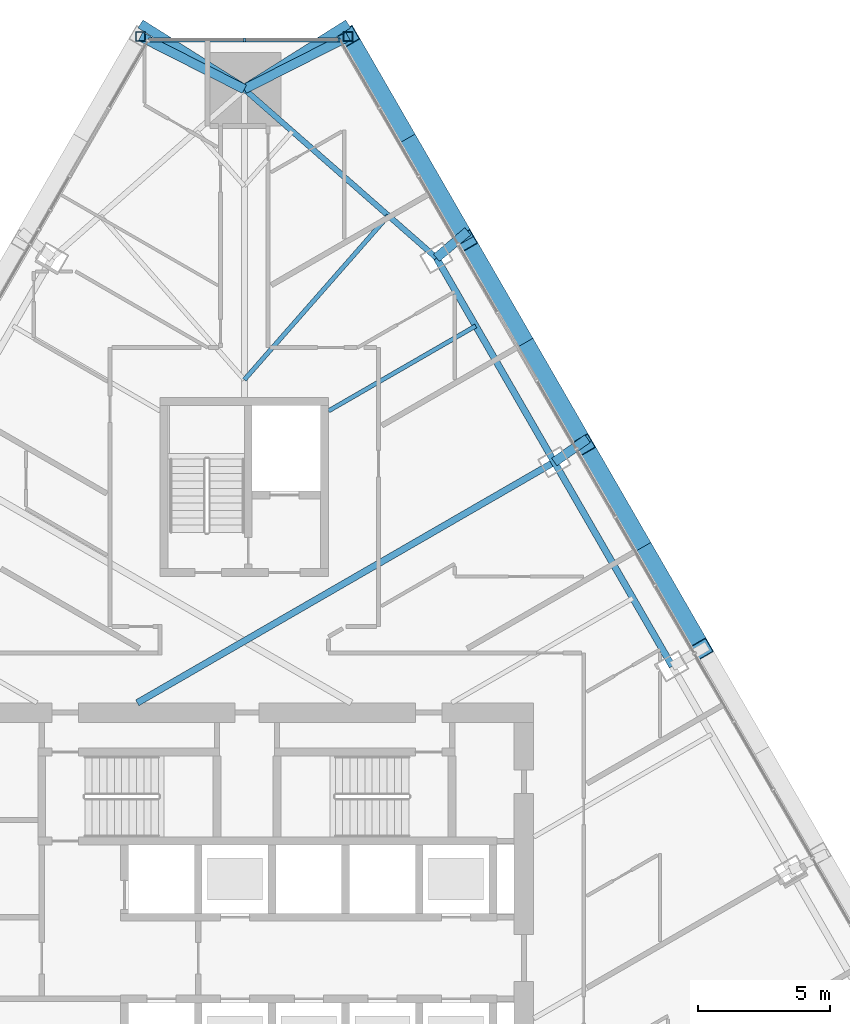
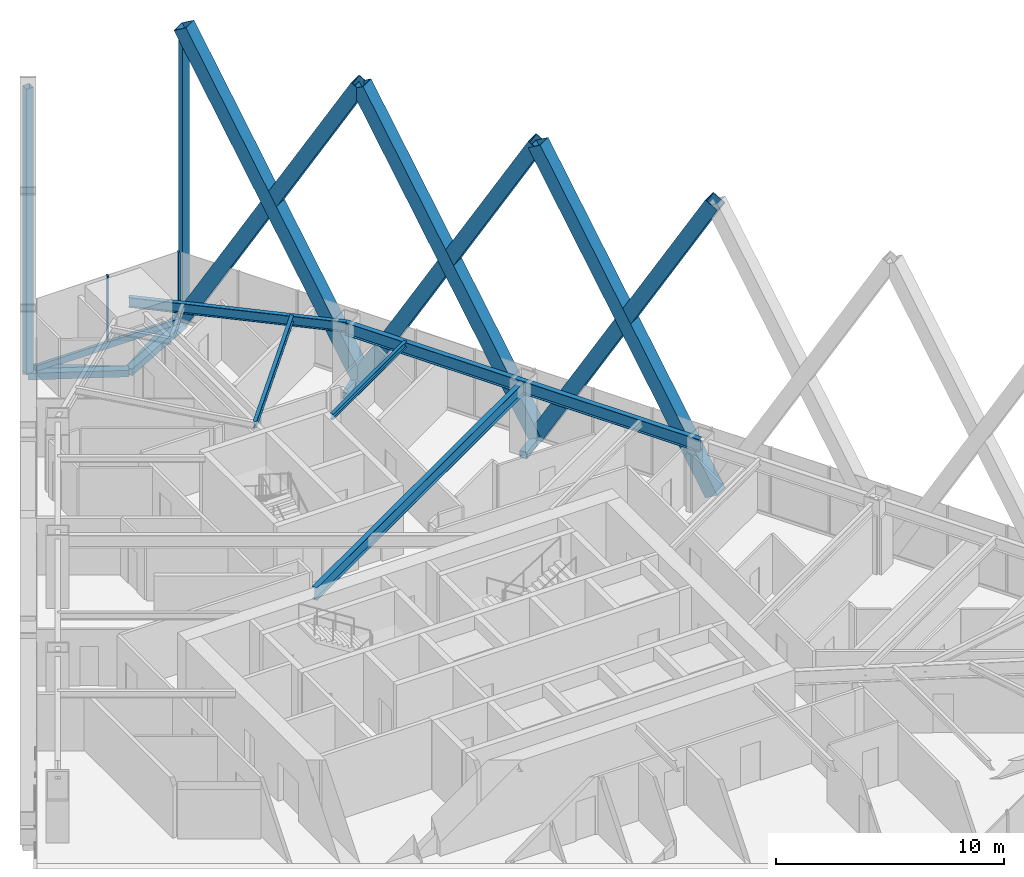
# One storey, part 15 of 24: 17 members, 5 beams, 1 element without a shape of its own.
"""IFC4 building model written with IfcOpenShell, lengths in metres."""

from ifc_helpers import new_model, si_unit, direction, frame, origin, origin_2d, place, context, subcontext, project, spatial, rectangle, hollow_rectangle, i_section, extrude, material, layer, layer_set, material_profile, profile_set, type_object, element, aggregate, save


model = new_model("IFC4")

# Units and contexts
model_context = context("Model", 3, precision=1e-05, world=origin(), true_north=direction((0.0, 1.0)))
body_context = subcontext(model_context, "Body", "Model", "MODEL_VIEW")
ifc_project = project(units=[si_unit("LENGTHUNIT", "METRE"), si_unit("AREAUNIT", "SQUARE_METRE"), si_unit("VOLUMEUNIT", "CUBIC_METRE"), si_unit("PLANEANGLEUNIT", "RADIAN"), si_unit("MASSUNIT", "GRAM", prefix="KILO")], contexts=[model_context])

# Site, building, storey
site_placement = place(None, origin())
site = spatial("IfcSite", under=ifc_project, at=site_placement, CompositionType="ELEMENT")
building_placement = place(site_placement, origin())
building = spatial("IfcBuilding", under=site, at=building_placement, Name="Firuza Gate Tower and Library", CompositionType="ELEMENT")
storey_placement = place(building_placement, frame((0.0, 0.0, 171.39990234375)))
storey = spatial("IfcBuildingStorey", under=building, at=storey_placement, Name="L39", CompositionType="ELEMENT", Elevation=171.39990234375)

# Members
ifc_material_1 = material(Name="Steel S355", Category="steel")
ifc_material_profile_1 = material_profile(ifc_material_1, hollow_rectangle(XDim=0.699951171875, YDim=0.699951171875, WallThickness=0.030029296875, at=origin_2d()))
ifc_profile_set_1 = profile_set([ifc_material_profile_1], Name="Steel S355")
member_type_1 = type_object("IfcMemberType", Name="BU700x700x30 Lattice brace", PredefinedType="BRACE", material=ifc_profile_set_1)
for number, where, z_axis, x_axis, name in (
    (1, (92.389404296875, 85.039794921875, 0.0), (-0.249065574789, 0.43139340866, 0.867102108416), (-0.866024991597, -0.500000713928, 0.0), "Lattice brace E 9.4R"),
    (2, (87.908447265625, 92.801025390625, 0.0), (0.249065574789, -0.43139340866, 0.867102108416), (0.866024991597, 0.500000713928, 0.0), "Lattice brace E 9.4L"),
    (3, (87.908447265625, 92.801025390625, 0.0), (-0.249065574789, 0.43139340866, 0.867102108416), (-0.866024991597, -0.500000713928, 0.0), "Lattice brace E 9.5R"),
    (4, (83.427490234375, 100.562255859375, 0.0), (0.249065574789, -0.43139340866, 0.867102108416), (0.866024991597, 0.500000713928, 0.0), "Lattice brace E 9.5L"),
):
    element("IfcMember", number, at=place(storey_placement, frame(where, z_axis=z_axis, x_axis=x_axis)), inside=storey, type_object=member_type_1, Name=name, PredefinedType="BRACE", context=body_context, shape_type="SweptSolid", body=[
        extrude(hollow_rectangle(XDim=0.699951171875, YDim=0.699951171875, WallThickness=0.030029296875, at=origin_2d()), origin(), (0.0, 0.0, 1.0), 17.990966796875),
    ])
for number, where, z_axis, x_axis, name in (
    (5, (83.427490234375, 100.562255859375, 0.0), (-0.249078303019, 0.431391950585, 0.867099177681), (-0.866013195349, -0.500021145034, 0.0), "Lattice brace E 9.6R"),
    (6, (78.9462890625, 108.323486328125, 0.0), (0.249078303019, -0.431391950585, 0.867099177681), (0.866013195349, 0.500021145034, 0.0), "Lattice brace E 9.6L"),
):
    element("IfcMember", number, at=place(storey_placement, frame(where, z_axis=z_axis, x_axis=x_axis)), inside=storey, type_object=member_type_1, Name=name, PredefinedType="BRACE", context=body_context, shape_type="SweptSolid", body=[
        extrude(hollow_rectangle(XDim=0.699951171875, YDim=0.699951171875, WallThickness=0.030029296875, at=origin_2d()), origin(), (0.0, 0.0, 1.0), 17.9912109375),
    ])

# Curtain wall, members
ifc_material_2 = material(Name="Aluminium 6063-T6", Category="aluminium")
ifc_layer = layer(ifc_material_2, 0.14990234375)
ifc_layer_set = layer_set([ifc_layer], Name="Corner curtain wall, chamfers")
curtain_wall_type = type_object("IfcCurtainWallType", Name="Corner curtain wall, chamfers", PredefinedType="NOTDEFINED", material=ifc_layer_set)
curtain_wall_placement = place(storey_placement, origin())
curtain_wall = element("IfcCurtainWall", 7, at=curtain_wall_placement, inside=storey, type_object=curtain_wall_type, Name="CW4 L39 N corner", PredefinedType="NOTDEFINED")
ifc_material_3 = material(Name="Aluminium 6063-T6", Category="aluminium")
ifc_material_profile_2 = material_profile(ifc_material_3, rectangle(XDim=0.14990234375, YDim=0.080078125, at=origin_2d()))
ifc_profile_set_2 = profile_set([ifc_material_profile_2], Name="Aluminium 6063-T6")
member_type_2 = type_object("IfcMemberType", Name="Curtain wall mullion 80x150", PredefinedType="MULLION", material=ifc_profile_set_2)
member_1_placement = place(storey_placement, frame((78.603271484375, 108.198486328125, 0.150146484375), z_axis=(0.0, 0.0, 1.0), x_axis=(0.0, -1.0, 0.0)))
member_1 = element("IfcMember", 8, at=member_1_placement, type_object=member_type_2, Name="Mullion", PredefinedType="MULLION", context=body_context, shape_type="SweptSolid", body=[
    extrude(rectangle(XDim=0.14990234375, YDim=0.080078125, at=origin_2d()), origin(), (0.0, 0.0, 1.0), 3.550048828125),
])
member_2_placement = place(storey_placement, frame((75.0, 108.198486328125, 0.150146484375), z_axis=(0.0, 0.0, 1.0), x_axis=(0.0, -1.0, 0.0)))
member_2 = element("IfcMember", 9, at=member_2_placement, type_object=member_type_2, Name="Mullion", PredefinedType="MULLION", context=body_context, shape_type="SweptSolid", body=[
    extrude(rectangle(XDim=0.14990234375, YDim=0.080078125, at=origin_2d()), origin(), (0.0, 0.0, 1.0), 3.550048828125),
])
ifc_material_4 = material(Name="Aluminium 6063-T6", Category="aluminium")
ifc_material_profile_3 = material_profile(ifc_material_4, rectangle(XDim=0.14990234375, YDim=0.35009765625, at=origin_2d()))
ifc_profile_set_3 = profile_set([ifc_material_profile_3], Name="Aluminium 6063-T6")
member_type_3 = type_object("IfcMemberType", Name="Curtain wall transom 350x150", PredefinedType="USERDEFINED", material=ifc_profile_set_3)
member_3_placement = place(storey_placement, frame((78.643310546875, 108.198486328125, -0.02490234375), z_axis=(-1.0, 0.0, 0.0), x_axis=(0.0, -1.0, 0.0)))
member_3 = element("IfcMember", 10, at=member_3_placement, type_object=member_type_3, Name="Transom", ObjectType="TRANSOM", PredefinedType="USERDEFINED", context=body_context, shape_type="SweptSolid", body=[
    extrude(rectangle(XDim=0.14990234375, YDim=0.35009765625, at=origin_2d()), origin(), (0.0, 0.0, 1.0), 7.28662109375),
])
aggregate(curtain_wall, [member_1, member_2, member_3])

# Members
ifc_material_5 = material(Name="Steel S355", Category="steel")
ifc_material_profile_4 = material_profile(ifc_material_5, hollow_rectangle(XDim=0.355712890625, YDim=0.355712890625, WallThickness=0.014892578125, at=origin_2d()))
ifc_profile_set_4 = profile_set([ifc_material_profile_4], Name="Steel S355")
member_type_4 = type_object("IfcMemberType", Name="HSS356x356x16 Lattice corner stile", PredefinedType="BRACE", material=ifc_profile_set_4)
for number, where, z_axis, x_axis, name in (
    (11, (78.9462890625, 108.323486328125, -0.139892578125), (0.0, 0.0, 1.0), (1.0, 0.0, 0.0), "Lattice corner stile E 9.B"),
    (12, (71.0537109375, 108.323486328125, -0.139892578125), (0.0, 0.0, 1.0), (1.0, 0.0, 0.0), "Lattice corner stile W 9.A"),
):
    element("IfcMember", number, at=place(storey_placement, frame(where, z_axis=z_axis, x_axis=x_axis)), inside=storey, type_object=member_type_4, Name=name, PredefinedType="BRACE", context=body_context, shape_type="SweptSolid", body=[
        extrude(hollow_rectangle(XDim=0.355712890625, YDim=0.355712890625, WallThickness=0.014892578125, at=origin_2d()), origin(), (0.0, 0.0, 1.0), 15.239990234375),
    ])
ifc_material_6 = material(Name="Steel S355", Category="steel")
ifc_material_profile_5 = material_profile(ifc_material_6, hollow_rectangle(XDim=0.355712890625, YDim=0.355712890625, WallThickness=0.014892578125, at=origin_2d()))
ifc_profile_set_5 = profile_set([ifc_material_profile_5], Name="Steel S355")
member_type_5 = type_object("IfcMemberType", Name="HSS356x356x16 Lattice node tie", PredefinedType="BRACE", material=ifc_profile_set_5)
member_4_placement = place(storey_placement, frame((75.0, 106.323486328125, -0.31982421875), z_axis=(0.846854320975, 0.531824932704, 0.0), x_axis=(-0.531824932704, 0.846854320975, 0.0)))
element("IfcMember", 13, at=member_4_placement, inside=storey, type_object=member_type_5, Name="Lattice node tie E L39 175", PredefinedType="BRACE", context=body_context, shape_type="SweptSolid", body=[
    extrude(hollow_rectangle(XDim=0.355712890625, YDim=0.355712890625, WallThickness=0.014892578125, at=origin_2d()), origin(), (0.0, 0.0, 1.0), 4.659912109375),
])
member_5_placement = place(storey_placement, frame((75.0, 106.323486328125, -0.31982421875), z_axis=(0.891985934506, 0.452063151168, 0.0), x_axis=(-0.452063151168, 0.891985934506, 0.0)))
element("IfcMember", 14, at=member_5_placement, inside=storey, type_object=member_type_5, Name="Lattice node tie E L39 176", PredefinedType="BRACE", context=body_context, shape_type="SweptSolid", body=[
    extrude(hollow_rectangle(XDim=0.355712890625, YDim=0.355712890625, WallThickness=0.014892578125, at=origin_2d()), origin(), (0.0, 0.0, 1.0), 4.424072265625),
])
member_6_placement = place(storey_placement, frame((82.301513671875, 99.912353515625, -0.31982421875), z_axis=(0.764161601594, 0.645024841885, 0.0), x_axis=(-0.645024841885, 0.764161601594, 0.0)))
element("IfcMember", 15, at=member_6_placement, inside=storey, type_object=member_type_5, Name="Lattice node tie E L39 177", PredefinedType="BRACE", context=body_context, shape_type="SweptSolid", body=[
    extrude(hollow_rectangle(XDim=0.355712890625, YDim=0.355712890625, WallThickness=0.014892578125, at=origin_2d()), origin(), (0.0, 0.0, 1.0), 1.5634765625),
])
member_7_placement = place(storey_placement, frame((86.782470703125, 92.15087890625, -0.31982421875), z_axis=(0.817886273366, 0.575379912613, 0.0), x_axis=(-0.575379912613, 0.817886273366, 0.0)))
element("IfcMember", 16, at=member_7_placement, inside=storey, type_object=member_type_5, Name="Lattice node tie E L39 178", PredefinedType="BRACE", context=body_context, shape_type="SweptSolid", body=[
    extrude(hollow_rectangle(XDim=0.355712890625, YDim=0.355712890625, WallThickness=0.014892578125, at=origin_2d()), origin(), (0.0, 0.0, 1.0), 1.54541015625),
])
member_8_placement = place(storey_placement, frame((75.0, 106.323486328125, -0.31982421875), z_axis=(-0.846854320975, 0.531824932704, 0.0), x_axis=(-0.531824932704, -0.846854320975, 0.0)))
element("IfcMember", 17, at=member_8_placement, inside=storey, type_object=member_type_5, Name="Lattice node tie W L39 200", PredefinedType="BRACE", context=body_context, shape_type="SweptSolid", body=[
    extrude(hollow_rectangle(XDim=0.355712890625, YDim=0.355712890625, WallThickness=0.014892578125, at=origin_2d()), origin(), (0.0, 0.0, 1.0), 4.659912109375),
])
member_9_placement = place(storey_placement, frame((75.0, 106.323486328125, -0.31982421875), z_axis=(-0.891985934506, 0.452063151168, 0.0), x_axis=(-0.452063151168, -0.891985934506, 0.0)))
element("IfcMember", 18, at=member_9_placement, inside=storey, type_object=member_type_5, Name="Lattice node tie W L39 201", PredefinedType="BRACE", context=body_context, shape_type="SweptSolid", body=[
    extrude(hollow_rectangle(XDim=0.355712890625, YDim=0.355712890625, WallThickness=0.014892578125, at=origin_2d()), origin(), (0.0, 0.0, 1.0), 4.424072265625),
])

# Beams
ifc_material_7 = material(Name="Steel S355", Category="steel")
ifc_material_profile_6 = material_profile(ifc_material_7, i_section(OverallWidth=0.1650390625, OverallDepth=0.31005859375, WebThickness=0.005859375, FlangeThickness=0.009765625, at=origin_2d()))
ifc_profile_set_6 = profile_set([ifc_material_profile_6], Name="Steel S355")
beam_type_1 = type_object("IfcBeamType", Name="W310x39 Floor beam", PredefinedType="JOIST", material=ifc_profile_set_6)
beam_1_placement = place(storey_placement, frame((83.795166015625, 97.3251953125, 3.545166015625), z_axis=(-0.86602071536, -0.500008120501, 0.0), x_axis=(0.500008120501, -0.86602071536, 0.0)))
element("IfcBeam", 19, at=beam_1_placement, inside=storey, type_object=beam_type_1, Name="Floor beam L39 s55", PredefinedType="JOIST", context=body_context, shape_type="SweptSolid", body=[
    extrude(i_section(OverallWidth=0.1650390625, OverallDepth=0.31005859375, WebThickness=0.005859375, FlangeThickness=0.009765625, at=origin_2d()), origin(), (0.0, 0.0, 1.0), 6.4609375),
])
ifc_material_8 = material(Name="Steel S355", Category="steel")
ifc_material_profile_7 = material_profile(ifc_material_8, i_section(OverallWidth=0.1708984375, OverallDepth=0.35498046875, WebThickness=0.007080078125, FlangeThickness=0.01171875, at=origin_2d()))
ifc_profile_set_7 = profile_set([ifc_material_profile_7], Name="Steel S355")
beam_type_2 = type_object("IfcBeamType", Name="W360x51 Floor beam", PredefinedType="JOIST", material=ifc_profile_set_7)
beam_2_placement = place(storey_placement, frame((80.47607421875, 101.51513671875, 3.522705078125), z_axis=(-0.659805224478, -0.751436667824, 0.0), x_axis=(0.751436667824, -0.659805224478, 0.0)))
element("IfcBeam", 20, at=beam_2_placement, inside=storey, type_object=beam_type_2, Name="Floor beam L39 s60", PredefinedType="JOIST", context=body_context, shape_type="SweptSolid", body=[
    extrude(i_section(OverallWidth=0.1708984375, OverallDepth=0.35498046875, WebThickness=0.007080078125, FlangeThickness=0.01171875, at=origin_2d()), origin(), (0.0, 0.0, 1.0), 8.299560546875),
])
ifc_material_9 = material(Name="Steel S355", Category="steel")
ifc_material_profile_8 = material_profile(ifc_material_9, i_section(OverallWidth=0.212890625, OverallDepth=0.5390625, WebThickness=0.01171875, FlangeThickness=0.018798828125, at=origin_2d()))
ifc_profile_set_8 = profile_set([ifc_material_profile_8], Name="Steel S355")
beam_type_3 = type_object("IfcBeamType", Name="W530x109 Edge beam", PredefinedType="SPANDREL", material=ifc_profile_set_8)
beam_3_placement = place(storey_placement, frame((82.301513671875, 99.912353515625, 3.4306640625), z_axis=(-0.751437794332, 0.659803941524, 0.0), x_axis=(-0.659803941524, -0.751437794332, 0.0)))
element("IfcBeam", 21, at=beam_3_placement, inside=storey, type_object=beam_type_3, Name="Edge beam L39 e60", PredefinedType="SPANDREL", context=body_context, shape_type="SweptSolid", body=[
    extrude(i_section(OverallWidth=0.212890625, OverallDepth=0.5390625, WebThickness=0.01171875, FlangeThickness=0.018798828125, at=origin_2d()), origin(), (0.0, 0.0, 1.0), 9.716796875),
])
ifc_material_10 = material(Name="Steel S355", Category="steel")
ifc_material_profile_9 = material_profile(ifc_material_10, i_section(OverallWidth=0.2529296875, OverallDepth=0.677978515625, WebThickness=0.01171875, FlangeThickness=0.016357421875, at=origin_2d()))
ifc_profile_set_9 = profile_set([ifc_material_profile_9], Name="Steel S355")
beam_type_4 = type_object("IfcBeamType", Name="W690x125 Edge beam", PredefinedType="SPANDREL", material=ifc_profile_set_9)
beam_4_placement = place(storey_placement, frame((91.263427734375, 84.3896484375, 3.361083984375), z_axis=(-0.499994815902, 0.866028396804, 0.0), x_axis=(-0.866028396804, -0.499994815902, 0.0)))
element("IfcBeam", 22, at=beam_4_placement, inside=storey, type_object=beam_type_4, Name="Edge beam L39 e52", PredefinedType="SPANDREL", context=body_context, shape_type="SweptSolid", body=[
    extrude(i_section(OverallWidth=0.2529296875, OverallDepth=0.677978515625, WebThickness=0.01171875, FlangeThickness=0.016357421875, at=origin_2d()), origin(), (0.0, 0.0, 1.0), 17.924072265625),
])
ifc_material_11 = material(Name="Steel S355", Category="steel")
ifc_material_profile_10 = material_profile(ifc_material_11, i_section(OverallWidth=0.2529296875, OverallDepth=0.677978515625, WebThickness=0.01171875, FlangeThickness=0.016357421875, at=origin_2d()))
ifc_profile_set_10 = profile_set([ifc_material_profile_10], Name="Steel S355")
beam_type_5 = type_object("IfcBeamType", Name="W690x125 Floor beam", PredefinedType="JOIST", material=ifc_profile_set_10)
beam_5_placement = place(storey_placement, frame((86.782470703125, 92.15087890625, 3.361083984375), z_axis=(-0.866026309651, -0.49999843099, 0.0), x_axis=(0.49999843099, -0.866026309651, 0.0)))
element("IfcBeam", 23, at=beam_5_placement, inside=storey, type_object=beam_type_5, Name="Floor beam L39 s54", PredefinedType="JOIST", context=body_context, shape_type="SweptSolid", body=[
    extrude(i_section(OverallWidth=0.2529296875, OverallDepth=0.677978515625, WebThickness=0.01171875, FlangeThickness=0.016357421875, at=origin_2d()), origin(), (0.0, 0.0, 1.0), 18.3017578125),
])

save(model, "model.ifc")
